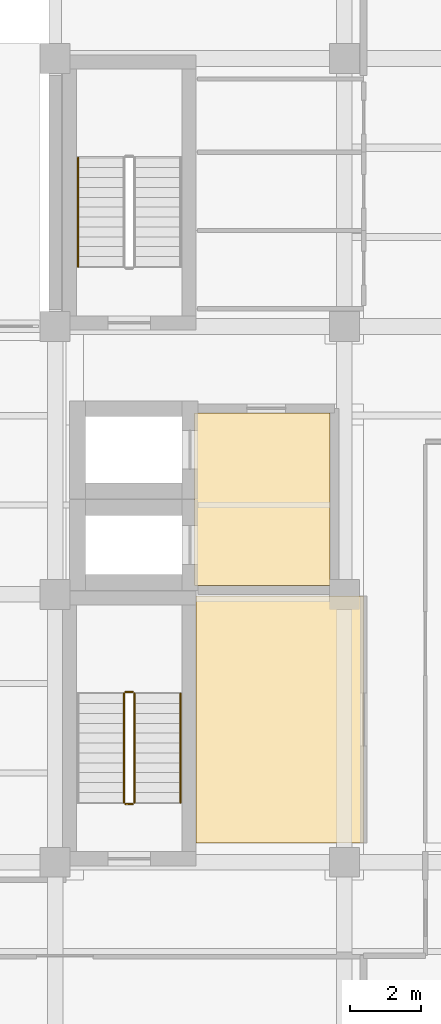
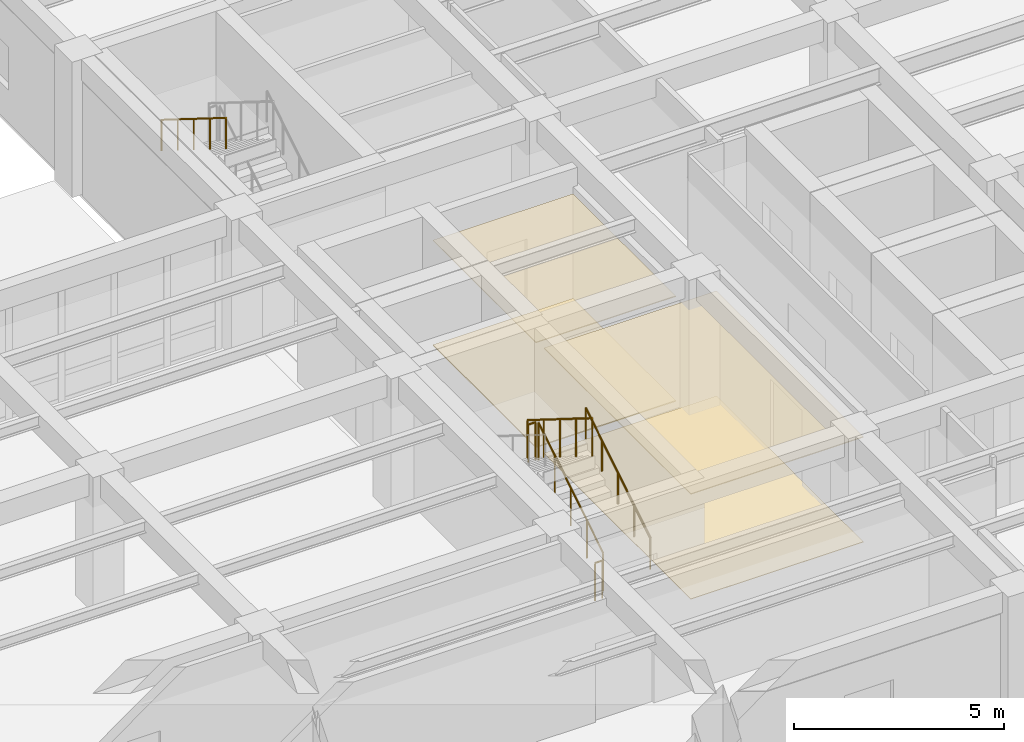
# One storey, part 18 of 22: 6 railings, 4 coverings.
"""IFC4 building model written with IfcOpenShell, lengths in metres."""

from ifc_helpers import new_model, si_unit, direction, frame, origin, origin_2d, place, context, subcontext, project, spatial, polyline, circle, outline, extrude, material, layer, layer_set, type_object, element, save


model = new_model("IFC4")

# Units and contexts
model_context = context("Model", 3, precision=1e-05, world=origin(), true_north=direction((0.0, 1.0)))
body_context = subcontext(model_context, "Body", "Model", "MODEL_VIEW")
ifc_project = project(units=[si_unit("LENGTHUNIT", "METRE"), si_unit("AREAUNIT", "SQUARE_METRE"), si_unit("VOLUMEUNIT", "CUBIC_METRE"), si_unit("PLANEANGLEUNIT", "RADIAN"), si_unit("MASSUNIT", "GRAM", prefix="KILO")], contexts=[model_context])

# Site, building, storey
site_placement = place(None, origin())
site = spatial("IfcSite", under=ifc_project, at=site_placement, CompositionType="ELEMENT")
building_placement = place(site_placement, origin())
building = spatial("IfcBuilding", under=site, at=building_placement, Name="Qandaris Square Conservatory and Botanical Centre", CompositionType="ELEMENT")
storey_placement = place(building_placement, frame((0.0, 0.0, 19.800048828125)))
storey = spatial("IfcBuildingStorey", under=building, at=storey_placement, Name="L04", CompositionType="ELEMENT", Elevation=19.800048828125)

# Coverings
ifc_material_1 = material(Name="Honed Qatari Limestone", Category="masonry")
ifc_layer_1 = layer(ifc_material_1, 0.030029296875)
ifc_layer_set_1 = layer_set([ifc_layer_1], Name="Honed Qatari Limestone")
covering_type_1 = type_object("IfcCoveringType", Name="Honed Qatari Limestone Concourse Paving", PredefinedType="FLOORING", material=ifc_layer_set_1)
covering_1_placement = place(storey_placement, origin())
element("IfcCovering", 1, at=covering_1_placement, inside=storey, type_object=covering_type_1, Name="Firefighting Lift Lobby L04 Flooring", PredefinedType="FLOORING", context=body_context, shape_type="SweptSolid", body=[
    extrude(outline(polyline([(143.14990234375, 36.949951171875), (147.0, 36.949951171875), (147.0, 32.050048828125), (143.14990234375, 32.050048828125), (143.14990234375, 36.949951171875)])), origin(), (0.0, 0.0, 1.0), 0.030029296875),
])
ifc_material_2 = material(Name="Gypsum Plasterboard", Category="gypsum")
ifc_layer_2 = layer(ifc_material_2, 0.02490234375)
ifc_layer_set_2 = layer_set([ifc_layer_2], Name="Gypsum Plasterboard")
covering_type_2 = type_object("IfcCoveringType", Name="Perforated Acoustic Lab Ceiling Tile", PredefinedType="CEILING", material=ifc_layer_set_2)
covering_2_placement = place(storey_placement, frame((0.0, 0.0, 3.050048828125)))
element("IfcCovering", 2, at=covering_2_placement, inside=storey, type_object=covering_type_2, Name="Firefighting Lift Lobby L04 Ceiling", PredefinedType="CEILING", context=body_context, shape_type="SweptSolid", body=[
    extrude(outline(polyline([(143.14990234375, 36.949951171875), (147.0, 36.949951171875), (147.0, 32.050048828125), (143.14990234375, 32.050048828125), (143.14990234375, 36.949951171875)])), origin(), (0.0, 0.0, 1.0), 0.02490234375),
])
covering_3_placement = place(storey_placement, frame((0.0, 0.0, 3.050048828125)))
element("IfcCovering", 3, at=covering_3_placement, inside=storey, type_object=covering_type_2, Name="Electrical and Telecom Riser Room L04 Ceiling", PredefinedType="CEILING", context=body_context, shape_type="SweptSolid", body=[
    extrude(outline(polyline([(147.949951171875, 31.75), (147.949951171875, 24.75), (143.199951171875, 24.75), (143.199951171875, 31.75), (147.949951171875, 31.75)])), origin(), (0.0, 0.0, 1.0), 0.02490234375),
])
ifc_material_3 = material(Name="Epoxy Resin Screed", Category="finish")
ifc_layer_3 = layer(ifc_material_3, 0.014892578125)
ifc_layer_set_3 = layer_set([ifc_layer_3], Name="Epoxy Resin Screed")
covering_type_3 = type_object("IfcCoveringType", Name="Seamless Epoxy Laboratory Flooring", PredefinedType="FLOORING", material=ifc_layer_set_3)
covering_4_placement = place(storey_placement, origin())
element("IfcCovering", 4, at=covering_4_placement, inside=storey, type_object=covering_type_3, Name="Electrical and Telecom Riser Room L04 Flooring", PredefinedType="FLOORING", context=body_context, shape_type="SweptSolid", body=[
    extrude(outline(polyline([(147.949951171875, 31.75), (147.949951171875, 24.75), (143.199951171875, 24.75), (143.199951171875, 31.75), (147.949951171875, 31.75)])), origin(), (0.0, 0.0, 1.0), 0.014892578125),
])

# Railings
ifc_material_4 = material(Name="Stainless Steel", Category="steel")
railing_type_1 = type_object("IfcRailingType", Name="Stair Tubular Handrail 920mm", PredefinedType="HANDRAIL", material=ifc_material_4)
railing_1_placement = place(storey_placement, frame((142.75, 25.89990234375, 0.349853515625)))
element("IfcRailing", 5, at=railing_1_placement, inside=storey, type_object=railing_type_1, Name="L04 ST-1 stair handrail 1", PredefinedType="HANDRAIL", context=body_context, shape_type="SweptSolid", body=[
    extrude(circle(Radius=0.02392578125, at=origin_2d()), frame((0.0, 0.0, 0.89599609375), z_axis=(0.0, 0.847998304005, 0.529998940003), x_axis=(-1.0, 0.0, 0.0)), (0.0, 0.0, 1.0), 3.632080078125),
    extrude(circle(Radius=0.02099609375, at=origin_2d()), origin(), (0.0, 0.0, 1.0), 0.871826171875),
    extrude(circle(Radius=0.02099609375, at=origin_2d()), frame((0.0, 0.77001953125, 0.481201171875)), (0.0, 0.0, 1.0), 0.871826171875),
    extrude(circle(Radius=0.02099609375, at=origin_2d()), frame((0.0, 1.5400390625, 0.96240234375)), (0.0, 0.0, 1.0), 0.871826171875),
    extrude(circle(Radius=0.02099609375, at=origin_2d()), frame((0.0, 2.31005859375, 1.44384765625)), (0.0, 0.0, 1.0), 0.871826171875),
    extrude(circle(Radius=0.02099609375, at=origin_2d()), frame((0.0, 3.080078125, 1.925048828125)), (0.0, 0.0, 1.0), 0.871826171875),
])
railing_2_placement = place(storey_placement, frame((139.85009765625, 44.179931640625, 2.449951171875)))
element("IfcRailing", 6, at=railing_2_placement, inside=storey, type_object=railing_type_1, Name="L04 ST-2 stair handrail 2", PredefinedType="HANDRAIL", context=body_context, shape_type="SweptSolid", body=[
    extrude(circle(Radius=0.02392578125, at=origin_2d()), frame((0.0, 0.0, 0.89599609375), z_axis=(0.0, -0.847979421464, 0.530029150871), x_axis=(1.0, 0.0, 0.0)), (0.0, 0.0, 1.0), 3.632080078125),
    extrude(circle(Radius=0.02099609375, at=origin_2d()), origin(), (0.0, 0.0, 1.0), 0.871826171875),
    extrude(circle(Radius=0.02099609375, at=origin_2d()), frame((0.0, -0.77001953125, 0.481201171875)), (0.0, 0.0, 1.0), 0.871826171875),
    extrude(circle(Radius=0.02099609375, at=origin_2d()), frame((0.0, -1.5400390625, 0.96240234375)), (0.0, 0.0, 1.0), 0.871826171875),
    extrude(circle(Radius=0.02099609375, at=origin_2d()), frame((0.0, -2.309814453125, 1.44384765625)), (0.0, 0.0, 1.0), 0.871826171875),
    extrude(circle(Radius=0.02099609375, at=origin_2d()), frame((0.0, -3.079833984375, 1.925048828125)), (0.0, 0.0, 1.0), 0.871826171875),
])
railing_type_2 = type_object("IfcRailingType", Name="Stairwell & Atrium Guardrail 1120mm", PredefinedType="GUARDRAIL", material=ifc_material_4)
railing_3_placement = place(storey_placement, frame((141.449951171875, 25.89990234375, 0.175048828125)))
element("IfcRailing", 7, at=railing_3_placement, inside=storey, type_object=railing_type_2, Name="L04 ST-1 stair guard 1", PredefinedType="GUARDRAIL", context=body_context, shape_type="SweptSolid", body=[
    extrude(circle(Radius=0.02392578125, at=origin_2d()), frame((0.0, 0.0, 1.09619140625), z_axis=(0.0, 0.848028513186, 0.529950602248), x_axis=(-1.0, 0.0, 0.0)), (0.0, 0.0, 1.0), 3.632080078125),
    extrude(circle(Radius=0.02099609375, at=origin_2d()), origin(), (0.0, 0.0, 1.0), 1.072021484375),
    extrude(circle(Radius=0.02099609375, at=origin_2d()), frame((0.0, 0.77001953125, 0.481201171875)), (0.0, 0.0, 1.0), 1.072021484375),
    extrude(circle(Radius=0.02099609375, at=origin_2d()), frame((0.0, 1.5400390625, 0.96240234375)), (0.0, 0.0, 1.0), 1.072021484375),
    extrude(circle(Radius=0.02099609375, at=origin_2d()), frame((0.0, 2.31005859375, 1.443603515625)), (0.0, 0.0, 1.0), 1.072021484375),
    extrude(circle(Radius=0.02099609375, at=origin_2d()), frame((0.0, 3.080078125, 1.9248046875)), (0.0, 0.0, 1.0), 1.072021484375),
])
railing_4_placement = place(storey_placement, frame((141.39990234375, 29.030029296875, 2.099853515625)))
element("IfcRailing", 8, at=railing_4_placement, inside=storey, type_object=railing_type_2, Name="L04 ST-1 stair guard 2", PredefinedType="GUARDRAIL", context=body_context, shape_type="SweptSolid", body=[
    extrude(circle(Radius=0.02392578125, at=origin_2d()), frame((0.0, 0.0, 1.09619140625), z_axis=(-1.0, 0.0, 0.0), x_axis=(0.0, -1.0, 0.0)), (0.0, 0.0, 1.0), 0.199951171875),
    extrude(circle(Radius=0.02099609375, at=origin_2d()), origin(), (0.0, 0.0, 1.0), 1.072021484375),
    extrude(circle(Radius=0.02099609375, at=origin_2d()), frame((-0.199951171875, 0.0, 0.0)), (0.0, 0.0, 1.0), 1.072021484375),
])
railing_5_placement = place(storey_placement, frame((141.14990234375, 28.97998046875, 2.27490234375)))
element("IfcRailing", 9, at=railing_5_placement, inside=storey, type_object=railing_type_2, Name="L04 ST-1 stair guard 3", PredefinedType="GUARDRAIL", context=body_context, shape_type="SweptSolid", body=[
    extrude(circle(Radius=0.02392578125, at=origin_2d()), frame((0.0, 0.0, 1.09619140625), z_axis=(0.0, -0.847998304005, 0.529998940003), x_axis=(1.0, 0.0, 0.0)), (0.0, 0.0, 1.0), 3.632080078125),
    extrude(circle(Radius=0.02099609375, at=origin_2d()), origin(), (0.0, 0.0, 1.0), 1.072021484375),
    extrude(circle(Radius=0.02099609375, at=origin_2d()), frame((0.0, -0.77001953125, 0.481201171875)), (0.0, 0.0, 1.0), 1.072021484375),
    extrude(circle(Radius=0.02099609375, at=origin_2d()), frame((0.0, -1.5400390625, 0.96240234375)), (0.0, 0.0, 1.0), 1.072021484375),
    extrude(circle(Radius=0.02099609375, at=origin_2d()), frame((0.0, -2.31005859375, 1.44384765625)), (0.0, 0.0, 1.0), 1.072021484375),
    extrude(circle(Radius=0.02099609375, at=origin_2d()), frame((0.0, -3.080078125, 1.925048828125)), (0.0, 0.0, 1.0), 1.072021484375),
])
railing_6_placement = place(storey_placement, frame((141.39990234375, 25.85009765625, 0.0)))
element("IfcRailing", 10, at=railing_6_placement, inside=storey, type_object=railing_type_2, Name="L04 ST-1 stair guard 4", PredefinedType="GUARDRAIL", context=body_context, shape_type="SweptSolid", body=[
    extrude(circle(Radius=0.02392578125, at=origin_2d()), frame((0.0, 0.0, 1.09619140625), z_axis=(-1.0, 0.0, 0.0), x_axis=(0.0, -1.0, 0.0)), (0.0, 0.0, 1.0), 0.199951171875),
    extrude(circle(Radius=0.02099609375, at=origin_2d()), origin(), (0.0, 0.0, 1.0), 1.072021484375),
    extrude(circle(Radius=0.02099609375, at=origin_2d()), frame((-0.199951171875, 0.0, 0.0)), (0.0, 0.0, 1.0), 1.072021484375),
])

save(model, "model.ifc")
